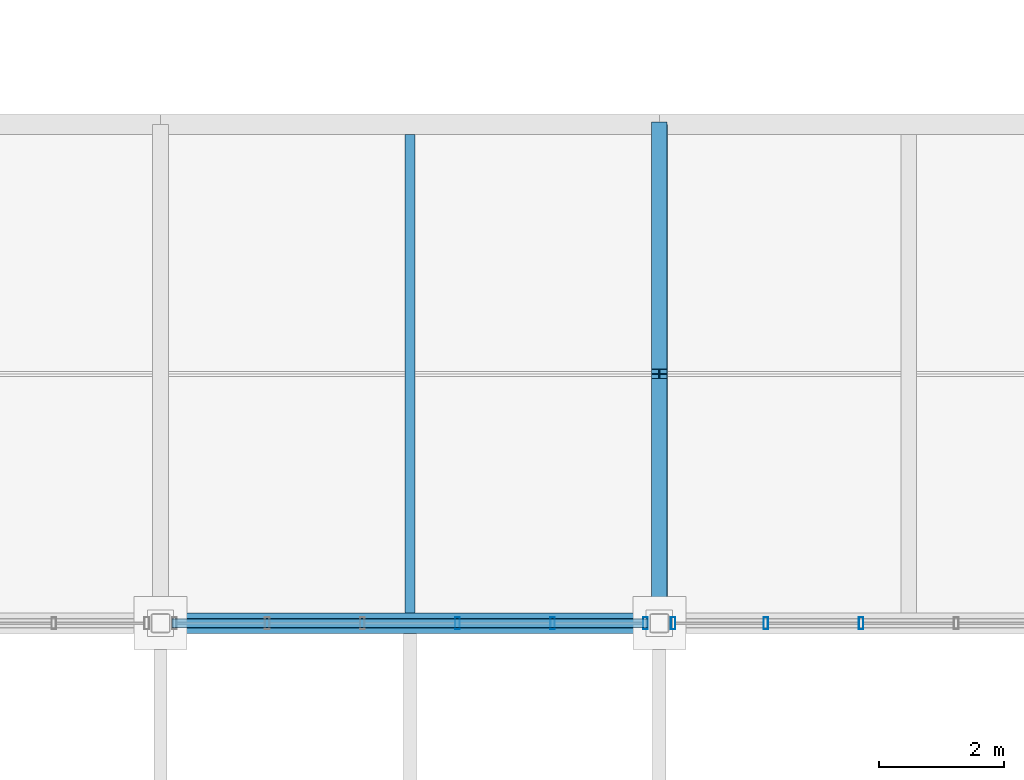
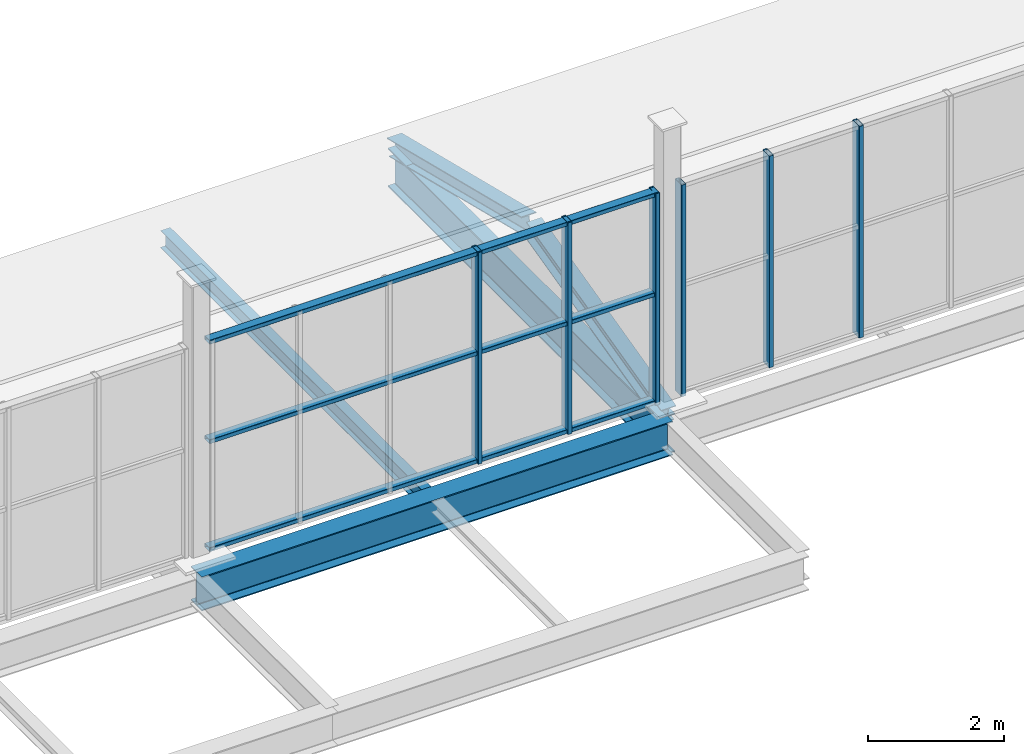
# One storey, part 36 of 96: 11 members, 3 beams, 2 elements without a shape of their own.
"""IFC4 building model written with IfcOpenShell, lengths in metres."""

from ifc_helpers import new_model, si_unit, direction, frame, origin, origin_2d, place, context, subcontext, project, spatial, hollow_rectangle, i_section, extrude, material, material_profile, profile_set, type_object, element, aggregate, save


model = new_model("IFC4")

# Units and contexts
model_context = context("Model", 3, precision=1e-05, world=origin(), true_north=direction((0.0, 1.0)))
body_context = subcontext(model_context, "Body", "Model", "MODEL_VIEW")
ifc_project = project(units=[si_unit("LENGTHUNIT", "METRE"), si_unit("AREAUNIT", "SQUARE_METRE"), si_unit("VOLUMEUNIT", "CUBIC_METRE"), si_unit("PLANEANGLEUNIT", "RADIAN"), si_unit("MASSUNIT", "GRAM", prefix="KILO")], contexts=[model_context])

# Site, building, storey
site_placement = place(None, origin())
site = spatial("IfcSite", under=ifc_project, at=site_placement, CompositionType="ELEMENT")
building_placement = place(site_placement, origin())
building = spatial("IfcBuilding", under=site, at=building_placement, Name="Verrall Gate Interchange", CompositionType="ELEMENT")
storey_placement = place(building_placement, frame((0.0, 0.0, 11.39990234375)))
storey = spatial("IfcBuildingStorey", under=building, at=storey_placement, Name="L03", CompositionType="ELEMENT", Elevation=11.39990234375)

# Beams
ifc_material_1 = material(Name="Structural Steel CSA G40.21 350WT Cat 4", Category="steel")
ifc_material_profile_1 = material_profile(ifc_material_1, i_section(OverallWidth=0.256103515625, OverallDepth=0.693115234375, WebThickness=0.01318359375, FlangeThickness=0.02001953125, FilletRadius=0.01611328125, at=origin_2d()), Name="W690x170")
ifc_profile_set_1 = profile_set([ifc_material_profile_1], Name="Structural Steel CSA G40.21 350WT Cat 4")
beam_type_1 = type_object("IfcBeamType", Name="B-07 Structural Beam W690x170", PredefinedType="BEAM", material=ifc_profile_set_1)
beam_1_placement = place(storey_placement, frame((60.0, 48.0, -0.676513671875), z_axis=(0.0, 1.0, 0.0), x_axis=(-1.0, 0.0, 0.0)))
element("IfcBeam", 1, at=beam_1_placement, inside=storey, type_object=beam_type_1, Name="L03 Girder BM-L03-2286 (B-07)", PredefinedType="BEAM", context=body_context, shape_type="SweptSolid", body=[
    extrude(i_section(OverallWidth=0.256103515625, OverallDepth=0.693115234375, WebThickness=0.01318359375, FlangeThickness=0.02001953125, FilletRadius=0.01611328125, at=origin_2d()), origin(), (0.0, 0.0, 1.0), 8.0),
])
ifc_material_2 = material(Name="Structural Steel CSA G40.21 350WT Cat 4", Category="steel")
ifc_material_profile_2 = material_profile(ifc_material_2, i_section(OverallWidth=0.323974609375, OverallDepth=0.611083984375, WebThickness=0.0126953125, FlangeThickness=0.01904296875, FilletRadius=0.014892578125, at=origin_2d()), Name="W610x155")
ifc_profile_set_2 = profile_set([ifc_material_profile_2], Name="Structural Steel CSA G40.21 350WT Cat 4")
beam_type_2 = type_object("IfcBeamType", Name="B-08 Structural Beam W610x155", PredefinedType="BEAM", material=ifc_profile_set_2)
beam_2_placement = place(storey_placement, frame((52.0, 48.0, -0.635498046875), z_axis=(1.0, 0.0, 0.0), x_axis=(0.0, 1.0, 0.0)))
element("IfcBeam", 2, at=beam_2_placement, inside=storey, type_object=beam_type_2, Name="L03 Girder BM-L03-2112 (B-08)", PredefinedType="BEAM", context=body_context, shape_type="SweptSolid", body=[
    extrude(i_section(OverallWidth=0.323974609375, OverallDepth=0.611083984375, WebThickness=0.0126953125, FlangeThickness=0.01904296875, FilletRadius=0.014892578125, at=origin_2d()), origin(), (0.0, 0.0, 1.0), 8.0),
])

# Curtain wall, members
ifc_material_3 = material(Name="Thermally Broken Anodized Aluminium Curtain Wall Framing", Category="aluminium")
curtain_wall_type = type_object("IfcCurtainWallType", Name="CW-53 Unitized Curtain Wall 7631x3800", PredefinedType="NOTDEFINED", material=ifc_material_3)
curtain_wall_1_placement = place(storey_placement, origin())
curtain_wall_1 = element("IfcCurtainWall", 3, at=curtain_wall_1_placement, inside=storey, type_object=curtain_wall_type, Name="L03 Unitized Curtain Wall CW-L03-CLR-175", PredefinedType="NOTDEFINED")
ifc_material_4 = material(Name="Thermally Broken Anodized Aluminium Curtain Wall Framing", Category="aluminium")
ifc_material_profile_3 = material_profile(ifc_material_4, hollow_rectangle(XDim=0.074951171875, YDim=0.199951171875, WallThickness=0.0048828125, InnerFilletRadius=0.0048828125, OuterFilletRadius=0.010009765625, at=origin_2d()), Name="CWM200x75x5")
ifc_profile_set_3 = profile_set([ifc_material_profile_3], Name="Thermally Broken Anodized Aluminium Curtain Wall Framing")
member_type_1 = type_object("IfcMemberType", Name="CM-02 Curtain Mullion CWM200x75x5", PredefinedType="MULLION", material=ifc_profile_set_3)
member_1_placement = place(storey_placement, frame((56.76318359375, 48.0, 0.0), z_axis=(0.0, 0.0, 1.0), x_axis=(1.0, 0.0, 0.0)))
member_1 = element("IfcMember", 4, at=member_1_placement, type_object=member_type_1, Name="CW-L03-CLR-175 Mullion 4", PredefinedType="MULLION", context=body_context, shape_type="SweptSolid", body=[
    extrude(hollow_rectangle(XDim=0.074951171875, YDim=0.199951171875, WallThickness=0.0048828125, InnerFilletRadius=0.0048828125, OuterFilletRadius=0.010009765625, at=origin_2d()), origin(), (0.0, 0.0, 1.0), 3.800048828125),
])
member_2_placement = place(storey_placement, frame((58.289306640625, 48.0, 0.0), z_axis=(0.0, 0.0, 1.0), x_axis=(1.0, 0.0, 0.0)))
member_2 = element("IfcMember", 5, at=member_2_placement, type_object=member_type_1, Name="CW-L03-CLR-175 Mullion 5", PredefinedType="MULLION", context=body_context, shape_type="SweptSolid", body=[
    extrude(hollow_rectangle(XDim=0.074951171875, YDim=0.199951171875, WallThickness=0.0048828125, InnerFilletRadius=0.0048828125, OuterFilletRadius=0.010009765625, at=origin_2d()), origin(), (0.0, 0.0, 1.0), 3.800048828125),
])
member_3_placement = place(storey_placement, frame((59.778076171875, 48.0, 0.0), z_axis=(0.0, 0.0, 1.0), x_axis=(1.0, 0.0, 0.0)))
member_3 = element("IfcMember", 6, at=member_3_placement, type_object=member_type_1, Name="CW-L03-CLR-175 Mullion 6", PredefinedType="MULLION", context=body_context, shape_type="SweptSolid", body=[
    extrude(hollow_rectangle(XDim=0.074951171875, YDim=0.199951171875, WallThickness=0.0048828125, InnerFilletRadius=0.0048828125, OuterFilletRadius=0.010009765625, at=origin_2d()), origin(), (0.0, 0.0, 1.0), 3.800048828125),
])

curtain_wall_2_placement = place(storey_placement, origin())
curtain_wall_2 = element("IfcCurtainWall", 7, at=curtain_wall_2_placement, inside=storey, type_object=curtain_wall_type, Name="L03 Unitized Curtain Wall CW-L03-CLR-176", PredefinedType="NOTDEFINED")
member_4_placement = place(storey_placement, frame((60.221923828125, 48.0, 0.0), z_axis=(0.0, 0.0, 1.0), x_axis=(1.0, 0.0, 0.0)))
member_4 = element("IfcMember", 8, at=member_4_placement, type_object=member_type_1, Name="CW-L03-CLR-176 Mullion 1", PredefinedType="MULLION", context=body_context, shape_type="SweptSolid", body=[
    extrude(hollow_rectangle(XDim=0.074951171875, YDim=0.199951171875, WallThickness=0.0048828125, InnerFilletRadius=0.0048828125, OuterFilletRadius=0.010009765625, at=origin_2d()), origin(), (0.0, 0.0, 1.0), 3.800048828125),
])
member_5_placement = place(storey_placement, frame((61.710693359375, 48.0, 0.0), z_axis=(0.0, 0.0, 1.0), x_axis=(1.0, 0.0, 0.0)))
member_5 = element("IfcMember", 9, at=member_5_placement, type_object=member_type_1, Name="CW-L03-CLR-176 Mullion 2", PredefinedType="MULLION", context=body_context, shape_type="SweptSolid", body=[
    extrude(hollow_rectangle(XDim=0.074951171875, YDim=0.199951171875, WallThickness=0.0048828125, InnerFilletRadius=0.0048828125, OuterFilletRadius=0.010009765625, at=origin_2d()), origin(), (0.0, 0.0, 1.0), 3.800048828125),
])
member_6_placement = place(storey_placement, frame((63.23681640625, 48.0, 0.0), z_axis=(0.0, 0.0, 1.0), x_axis=(1.0, 0.0, 0.0)))
member_6 = element("IfcMember", 10, at=member_6_placement, type_object=member_type_1, Name="CW-L03-CLR-176 Mullion 3", PredefinedType="MULLION", context=body_context, shape_type="SweptSolid", body=[
    extrude(hollow_rectangle(XDim=0.074951171875, YDim=0.199951171875, WallThickness=0.0048828125, InnerFilletRadius=0.0048828125, OuterFilletRadius=0.010009765625, at=origin_2d()), origin(), (0.0, 0.0, 1.0), 3.800048828125),
])
aggregate(curtain_wall_2, [member_4, member_5, member_6])

# Member
ifc_material_5 = material(Name="Thermally Broken Anodized Aluminium Curtain Wall Framing", Category="aluminium")
ifc_material_profile_4 = material_profile(ifc_material_5, hollow_rectangle(XDim=0.14990234375, YDim=0.074951171875, WallThickness=0.00439453125, InnerFilletRadius=0.00439453125, OuterFilletRadius=0.009033203125, at=origin_2d()), Name="CWT150x75x4.5")
ifc_profile_set_4 = profile_set([ifc_material_profile_4], Name="Thermally Broken Anodized Aluminium Curtain Wall Framing")
member_type_2 = type_object("IfcMemberType", Name="CT-02 Curtain Transom CWT150x75x4.5", PredefinedType="USERDEFINED", material=ifc_profile_set_4)
member_7_placement = place(storey_placement, frame((52.1845703125, 48.0, 0.03759765625), z_axis=(1.0, 0.0, 0.0), x_axis=(0.0, 1.0, 0.0)))
member_7 = element("IfcMember", 11, at=member_7_placement, type_object=member_type_2, Name="CW-L03-CLR-175 Transom 1", ObjectType="TRANSOM", PredefinedType="USERDEFINED", context=body_context, shape_type="SweptSolid", body=[
    extrude(hollow_rectangle(XDim=0.14990234375, YDim=0.074951171875, WallThickness=0.00439453125, InnerFilletRadius=0.00439453125, OuterFilletRadius=0.009033203125, at=origin_2d()), origin(), (0.0, 0.0, 1.0), 7.630859375),
])

member_8_placement = place(storey_placement, frame((52.1845703125, 48.0, 1.97607421875), z_axis=(1.0, 0.0, 0.0), x_axis=(0.0, 1.0, 0.0)))
member_8 = element("IfcMember", 12, at=member_8_placement, type_object=member_type_2, Name="CW-L03-CLR-175 Transom 2", ObjectType="TRANSOM", PredefinedType="USERDEFINED", context=body_context, shape_type="SweptSolid", body=[
    extrude(hollow_rectangle(XDim=0.14990234375, YDim=0.074951171875, WallThickness=0.00439453125, InnerFilletRadius=0.00439453125, OuterFilletRadius=0.009033203125, at=origin_2d()), origin(), (0.0, 0.0, 1.0), 7.630859375),
])

member_9_placement = place(storey_placement, frame((52.1845703125, 48.0, 3.7626953125), z_axis=(1.0, 0.0, 0.0), x_axis=(0.0, 1.0, 0.0)))
member_9 = element("IfcMember", 13, at=member_9_placement, type_object=member_type_2, Name="CW-L03-CLR-175 Transom 3", ObjectType="TRANSOM", PredefinedType="USERDEFINED", context=body_context, shape_type="SweptSolid", body=[
    extrude(hollow_rectangle(XDim=0.14990234375, YDim=0.074951171875, WallThickness=0.00439453125, InnerFilletRadius=0.00439453125, OuterFilletRadius=0.009033203125, at=origin_2d()), origin(), (0.0, 0.0, 1.0), 7.630859375),
])

aggregate(curtain_wall_1, [member_1, member_2, member_3, member_7, member_8, member_9])

# Beam
ifc_material_6 = material(Name="Structural Steel CSA G40.21 350W", Category="steel")
ifc_material_profile_5 = material_profile(ifc_material_6, i_section(OverallWidth=0.1650390625, OverallDepth=0.31005859375, WebThickness=0.005859375, FlangeThickness=0.009765625, FilletRadius=0.010009765625, at=origin_2d()), Name="W310x39")
ifc_profile_set_5 = profile_set([ifc_material_profile_5], Name="Structural Steel CSA G40.21 350W")
beam_type_3 = type_object("IfcBeamType", Name="J-04 Floor Joist W310x39", PredefinedType="JOIST", material=ifc_profile_set_5)
beam_3_placement = place(storey_placement, frame((56.0, 48.162109375, -0.48486328125), z_axis=(0.0, 1.0, 0.0), x_axis=(-1.0, 0.0, 0.0)))
element("IfcBeam", 14, at=beam_3_placement, inside=storey, type_object=beam_type_3, Name="L03 Secondary Floor Joist JST-L03-2485", PredefinedType="JOIST", context=body_context, shape_type="SweptSolid", body=[
    extrude(i_section(OverallWidth=0.1650390625, OverallDepth=0.31005859375, WebThickness=0.005859375, FlangeThickness=0.009765625, FilletRadius=0.010009765625, at=origin_2d()), origin(), (0.0, 0.0, 1.0), 7.67578125),
])

# Members
ifc_material_7 = material(Name="Structural Steel CSA G40.21 350WT Cat 4", Category="steel")
ifc_material_profile_6 = material_profile(ifc_material_7, i_section(OverallWidth=0.25390625, OverallDepth=0.305908203125, WebThickness=0.0087890625, FlangeThickness=0.0146484375, FilletRadius=0.012939453125, at=origin_2d()), Name="W310x79")
ifc_profile_set_6 = profile_set([ifc_material_profile_6], Name="Structural Steel CSA G40.21 350WT Cat 4")
member_type_3 = type_object("IfcMemberType", Name="RF-03 Folded Roof Rafter W310x79", PredefinedType="RAFTER", material=ifc_profile_set_6)
for number, where, z_axis, x_axis, name in (
    (15, (60.0, 48.0, -0.31982421875), (0.0, 0.970717098228, 0.240225550696), (-1.0, 0.0, 0.0), "Gallery Roof Rafter S 60"),
    (16, (60.0, 56.0, -0.31982421875), (0.0, -0.970717098228, 0.240225550696), (1.0, 0.0, 0.0), "Gallery Roof Rafter N 60"),
):
    element("IfcMember", number, at=place(storey_placement, frame(where, z_axis=z_axis, x_axis=x_axis)), inside=storey, type_object=member_type_3, Name=name, PredefinedType="RAFTER", context=body_context, shape_type="SweptSolid", body=[
        extrude(i_section(OverallWidth=0.25390625, OverallDepth=0.305908203125, WebThickness=0.0087890625, FlangeThickness=0.0146484375, FilletRadius=0.012939453125, at=origin_2d()), origin(), (0.0, 0.0, 1.0), 4.079345703125),
    ])

save(model, "model.ifc")
